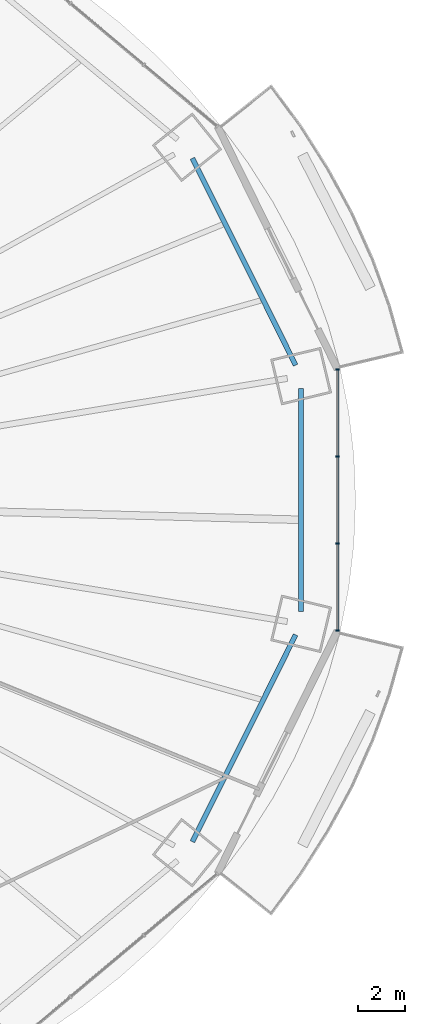
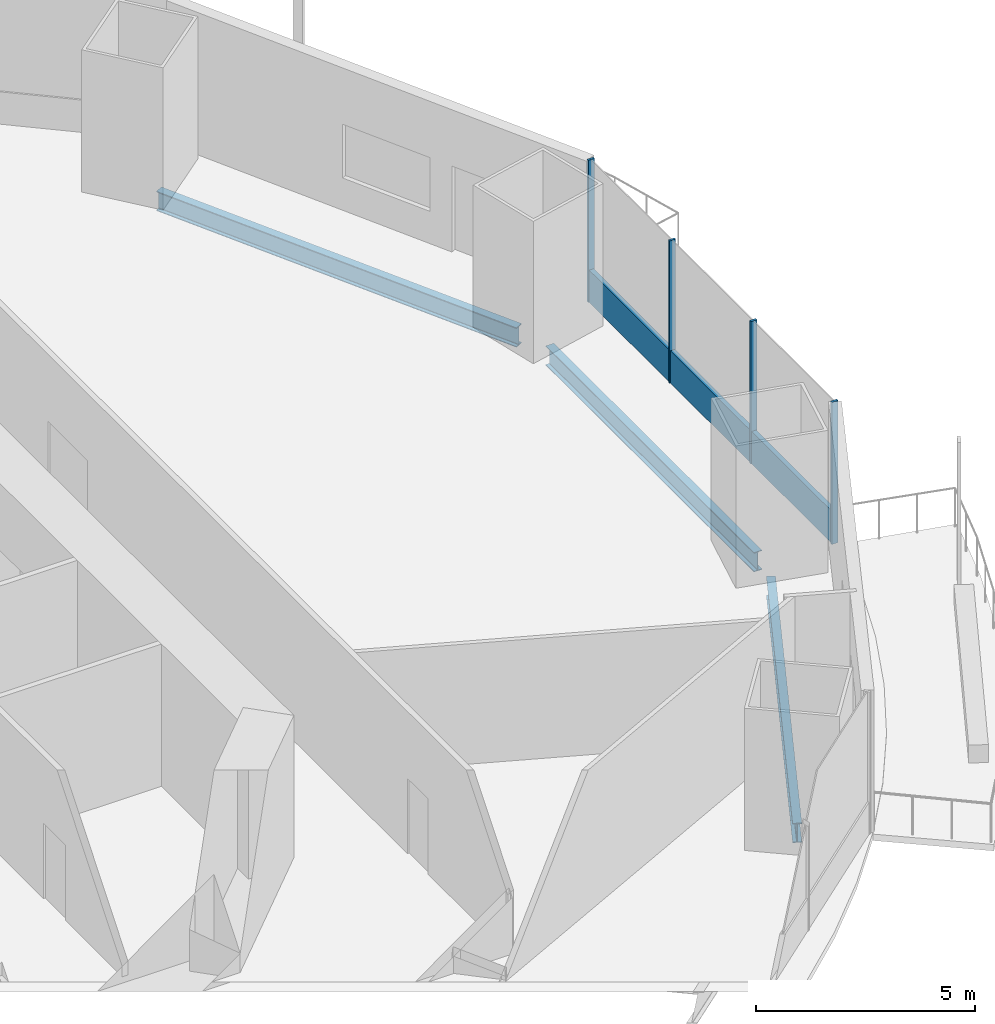
# One storey, part 11 of 22: 5 members, 3 beams, 1 element without a shape of its own.
"""IFC4 building model written with IfcOpenShell, lengths in metres."""

from ifc_helpers import new_model, si_unit, direction, frame, origin, origin_2d, place, context, subcontext, project, spatial, rectangle, i_section, extrude, material, material_profile, profile_set, type_object, element, aggregate, save


model = new_model("IFC4")

# Units and contexts
model_context = context("Model", 3, precision=1e-05, world=origin(), true_north=direction((0.0, 1.0)))
body_context = subcontext(model_context, "Body", "Model", "MODEL_VIEW")
ifc_project = project(units=[si_unit("LENGTHUNIT", "METRE"), si_unit("AREAUNIT", "SQUARE_METRE"), si_unit("VOLUMEUNIT", "CUBIC_METRE"), si_unit("PLANEANGLEUNIT", "RADIAN"), si_unit("MASSUNIT", "GRAM", prefix="KILO")], contexts=[model_context])

# Site, building, storey
site_placement = place(None, origin())
site = spatial("IfcSite", under=ifc_project, at=site_placement, CompositionType="ELEMENT")
building_placement = place(site_placement, origin())
building = spatial("IfcBuilding", under=site, at=building_placement, Name="Marenthal Gate Tower", CompositionType="ELEMENT")
storey_placement = place(building_placement, frame((0.0, 0.0, 107.699951171875)))
storey = spatial("IfcBuildingStorey", under=building, at=storey_placement, Name="L22", CompositionType="ELEMENT", Elevation=107.699951171875)

# Curtain wall, members
ifc_material_1 = material(Name="Aluminium and glass", Category="aluminium")
curtain_wall_type = type_object("IfcCurtainWallType", Name="Curtain wall typical low", PredefinedType="NOTDEFINED", material=ifc_material_1)
curtain_wall_placement = place(storey_placement, origin())
curtain_wall = element("IfcCurtainWall", 1, at=curtain_wall_placement, inside=storey, type_object=curtain_wall_type, Name="Curtain wall L22 bay 16", PredefinedType="NOTDEFINED")
ifc_material_2 = material(Name="Aluminium", Category="aluminium")
ifc_material_profile_1 = material_profile(ifc_material_2, rectangle(XDim=0.159912109375, YDim=0.06005859375, at=origin_2d()), Name="60x160 aluminium mullion")
ifc_profile_set_1 = profile_set([ifc_material_profile_1], Name="Aluminium")
member_type_1 = type_object("IfcMemberType", Name="Mullion 60x160 typical low", PredefinedType="MULLION", material=ifc_profile_set_1)
member_1_placement = place(storey_placement, frame((33.568359375, -5.56689453125, 0.0), z_axis=(0.0, 0.0, 1.0), x_axis=(-1.0, 0.0, 0.0)))
member_1 = element("IfcMember", 2, at=member_1_placement, type_object=member_type_1, Name="Mullion L22 bay 16.1", PredefinedType="MULLION", context=body_context, shape_type="SweptSolid", body=[
    extrude(rectangle(XDim=0.159912109375, YDim=0.06005859375, at=origin_2d()), origin(), (0.0, 0.0, 1.0), 3.969970703125),
])
member_2_placement = place(storey_placement, frame((33.568359375, -1.855712890625, 0.0), z_axis=(0.0, 0.0, 1.0), x_axis=(-1.0, 0.0, 0.0)))
member_2 = element("IfcMember", 3, at=member_2_placement, type_object=member_type_1, Name="Mullion L22 bay 16.2", PredefinedType="MULLION", context=body_context, shape_type="SweptSolid", body=[
    extrude(rectangle(XDim=0.159912109375, YDim=0.06005859375, at=origin_2d()), origin(), (0.0, 0.0, 1.0), 3.969970703125),
])
member_3_placement = place(storey_placement, frame((33.568359375, 1.855712890625, 0.0), z_axis=(0.0, 0.0, 1.0), x_axis=(-1.0, 0.0, 0.0)))
member_3 = element("IfcMember", 4, at=member_3_placement, type_object=member_type_1, Name="Mullion L22 bay 16.3", PredefinedType="MULLION", context=body_context, shape_type="SweptSolid", body=[
    extrude(rectangle(XDim=0.159912109375, YDim=0.06005859375, at=origin_2d()), origin(), (0.0, 0.0, 1.0), 3.969970703125),
])
member_4_placement = place(storey_placement, frame((33.568359375, 5.56689453125, 0.0), z_axis=(0.0, 0.0, 1.0), x_axis=(-1.0, 0.0, 0.0)))
member_4 = element("IfcMember", 5, at=member_4_placement, type_object=member_type_1, Name="Mullion L22 bay 16.4", PredefinedType="MULLION", context=body_context, shape_type="SweptSolid", body=[
    extrude(rectangle(XDim=0.159912109375, YDim=0.06005859375, at=origin_2d()), origin(), (0.0, 0.0, 1.0), 3.969970703125),
])
ifc_material_3 = material(Name="Aluminium", Category="aluminium")
ifc_material_profile_2 = material_profile(ifc_material_3, rectangle(XDim=0.1201171875, YDim=0.89990234375, at=origin_2d()), Name="120x900 aluminium transom")
ifc_profile_set_2 = profile_set([ifc_material_profile_2], Name="Aluminium")
member_type_2 = type_object("IfcMemberType", Name="Transom 120x900 typical low", PredefinedType="USERDEFINED", material=ifc_profile_set_2)
member_5_placement = place(storey_placement, frame((33.568359375, -5.536865234375, 0.449951171875), z_axis=(0.0, 1.0, 0.0), x_axis=(-1.0, 0.0, 0.0)))
member_5 = element("IfcMember", 6, at=member_5_placement, type_object=member_type_2, Name="Transom L22 bay 16", ObjectType="TRANSOM", PredefinedType="USERDEFINED", context=body_context, shape_type="SweptSolid", body=[
    extrude(rectangle(XDim=0.1201171875, YDim=0.89990234375, at=origin_2d()), origin(), (0.0, 0.0, 1.0), 11.07373046875),
])
aggregate(curtain_wall, [member_1, member_2, member_3, member_4, member_5])

# Beams
ifc_material_4 = material(Name="Steel S355", Category="steel")
ifc_material_profile_3 = material_profile(ifc_material_4, i_section(OverallWidth=0.2119140625, OverallDepth=0.5439453125, WebThickness=0.01318359375, FlangeThickness=0.021240234375, FilletRadius=0.0126953125, at=origin_2d()), Name="W530X123")
ifc_profile_set_3 = profile_set([ifc_material_profile_3], Name="Steel S355")
beam_type = type_object("IfcBeamType", Name="W530X123 beam", PredefinedType="BEAM", material=ifc_profile_set_3)
for number, where, z_axis, x_axis, name in (
    (7, (31.78369140625, 5.759521484375, -0.451904296875), (-0.446372399163, 0.894847294942, 0.0), (-0.894847294942, -0.446372399163, 0.0), "BM-L22-41"),
    (8, (27.3779296875, -14.591796875, -0.451904296875), (0.446372399163, 0.894847294942, 0.0), (-0.894847294942, 0.446372399163, 0.0), "BM-L22-55"),
):
    element("IfcBeam", number, at=place(storey_placement, frame(where, z_axis=z_axis, x_axis=x_axis)), inside=storey, type_object=beam_type, Name=name, PredefinedType="BEAM", context=body_context, shape_type="SweptSolid", body=[
        extrude(i_section(OverallWidth=0.2119140625, OverallDepth=0.5439453125, WebThickness=0.01318359375, FlangeThickness=0.021240234375, FilletRadius=0.0126953125, at=origin_2d()), origin(), (0.0, 0.0, 1.0), 9.8701171875),
    ])
beam_placement = place(storey_placement, frame((32.018798828125, -4.76025390625, -0.451904296875), z_axis=(0.0, 1.0, 0.0), x_axis=(-1.0, 0.0, 0.0)))
element("IfcBeam", 9, at=beam_placement, inside=storey, type_object=beam_type, Name="BM-L22-56", PredefinedType="BEAM", context=body_context, shape_type="SweptSolid", body=[
    extrude(i_section(OverallWidth=0.2119140625, OverallDepth=0.5439453125, WebThickness=0.01318359375, FlangeThickness=0.021240234375, FilletRadius=0.0126953125, at=origin_2d()), origin(), (0.0, 0.0, 1.0), 9.5205078125),
])

save(model, "model.ifc")
